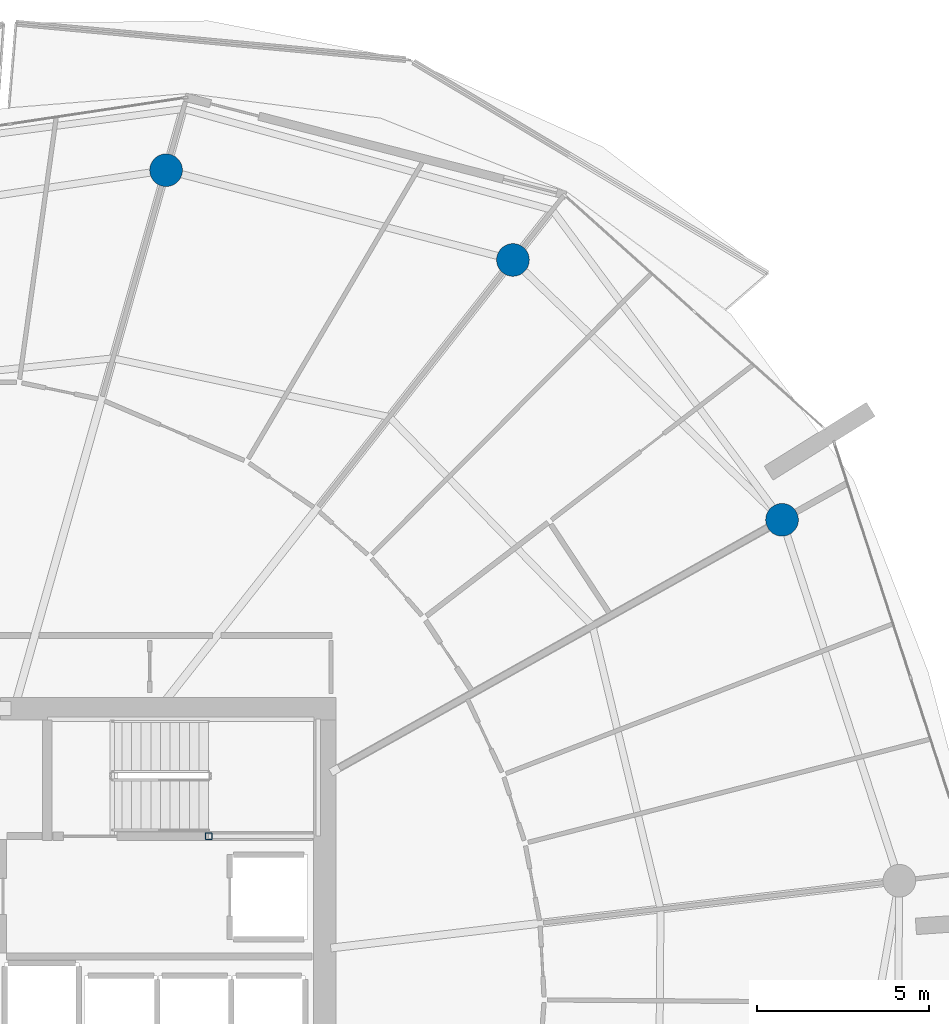
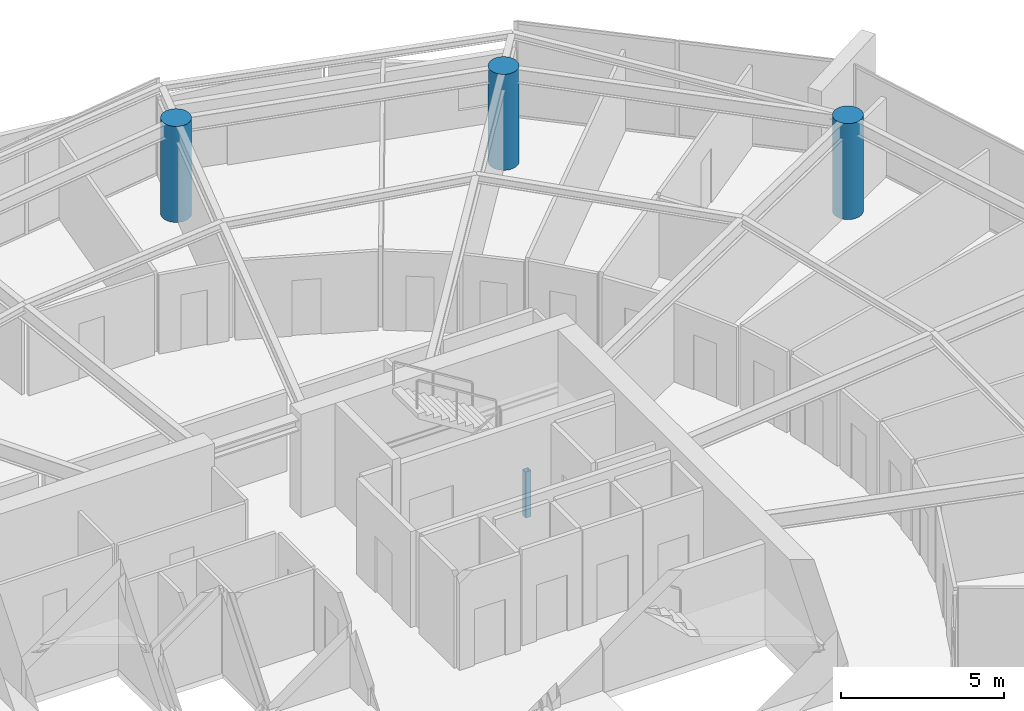
# One storey, part 5 of 31: 4 columns.
"""IFC4 building model written with IfcOpenShell, lengths in metres."""

from ifc_helpers import new_model, si_unit, direction, frame, origin, origin_2d, place, context, subcontext, project, spatial, hollow_rectangle, circle, extrude, material, material_profile, profile_set, type_object, element, save


model = new_model("IFC4")

# Units and contexts
model_context = context("Model", 3, precision=1e-05, world=origin(), true_north=direction((0.0, 1.0)))
body_context = subcontext(model_context, "Body", "Model", "MODEL_VIEW")
ifc_project = project(units=[si_unit("LENGTHUNIT", "METRE"), si_unit("AREAUNIT", "SQUARE_METRE"), si_unit("VOLUMEUNIT", "CUBIC_METRE"), si_unit("PLANEANGLEUNIT", "RADIAN"), si_unit("MASSUNIT", "GRAM", prefix="KILO")], contexts=[model_context])

# Site, building, storey
site_placement = place(None, origin())
site = spatial("IfcSite", under=ifc_project, at=site_placement, CompositionType="ELEMENT")
building_placement = place(site_placement, origin())
building = spatial("IfcBuilding", under=site, at=building_placement, Name="Kazma Halo Residences", CompositionType="ELEMENT")
storey_placement = place(building_placement, frame((0.0, 0.0, 248.25)))
storey = spatial("IfcBuildingStorey", under=building, at=storey_placement, Name="L62", CompositionType="ELEMENT", Elevation=248.25)

# Columns
ifc_material_1 = material(Name="Steel S355", Category="steel")
ifc_material_profile_1 = material_profile(ifc_material_1, hollow_rectangle(XDim=0.199951171875, YDim=0.199951171875, WallThickness=0.010009765625, InnerFilletRadius=0.010009765625, OuterFilletRadius=0.02001953125, at=origin_2d()), Name="SHS200x200x10")
ifc_profile_set_1 = profile_set([ifc_material_profile_1], Name="Steel S355")
column_type_1 = type_object("IfcColumnType", Name="COL-LP-SHS200", PredefinedType="COLUMN", material=ifc_profile_set_1)
column_placement = place(storey_placement, frame((56.0, 46.6201171875, 0.0), z_axis=(0.0, 0.0, 1.0), x_axis=(1.0, 0.0, 0.0)))
element("IfcColumn", 1, at=column_placement, inside=storey, type_object=column_type_1, Name="L62 ST-02 landing pilaster 1", PredefinedType="COLUMN", context=body_context, shape_type="SweptSolid", body=[
    extrude(hollow_rectangle(XDim=0.199951171875, YDim=0.199951171875, WallThickness=0.010009765625, InnerFilletRadius=0.010009765625, OuterFilletRadius=0.02001953125, at=origin_2d()), origin(), (0.0, 0.0, 1.0), 1.719970703125),
])
ifc_material_2 = material(Name="Concrete C60/75", Category="concrete")
ifc_material_profile_2 = material_profile(ifc_material_2, circle(Radius=0.47509765625, at=origin_2d()), Name="CIRC950")
ifc_profile_set_2 = profile_set([ifc_material_profile_2], Name="Concrete C60/75")
column_type_2 = type_object("IfcColumnType", Name="COL-PERIM-950", PredefinedType="COLUMN", material=ifc_profile_set_2)
for number, where, z_axis, x_axis, name in (
    (2, (72.67041015625, 55.81591796875, 0.0), (0.0, 0.0, 1.0), (1.0, 0.0, 0.0), "L62 perimeter ring column P01"),
    (3, (64.84716796875, 63.37060546875, 0.0), (0.0, 0.0, 1.0), (1.0, 0.0, 0.0), "L62 perimeter ring column P02"),
    (4, (54.762939453125, 65.9794921875, 0.0), (0.0, 0.0, 1.0), (1.0, 0.0, 0.0), "L62 perimeter ring column P03"),
):
    element("IfcColumn", number, at=place(storey_placement, frame(where, z_axis=z_axis, x_axis=x_axis)), inside=storey, type_object=column_type_2, Name=name, PredefinedType="COLUMN", context=body_context, shape_type="SweptSolid", body=[
        extrude(circle(Radius=0.47509765625, at=origin_2d()), origin(), (0.0, 0.0, 1.0), 3.590087890625),
    ])

save(model, "model.ifc")
